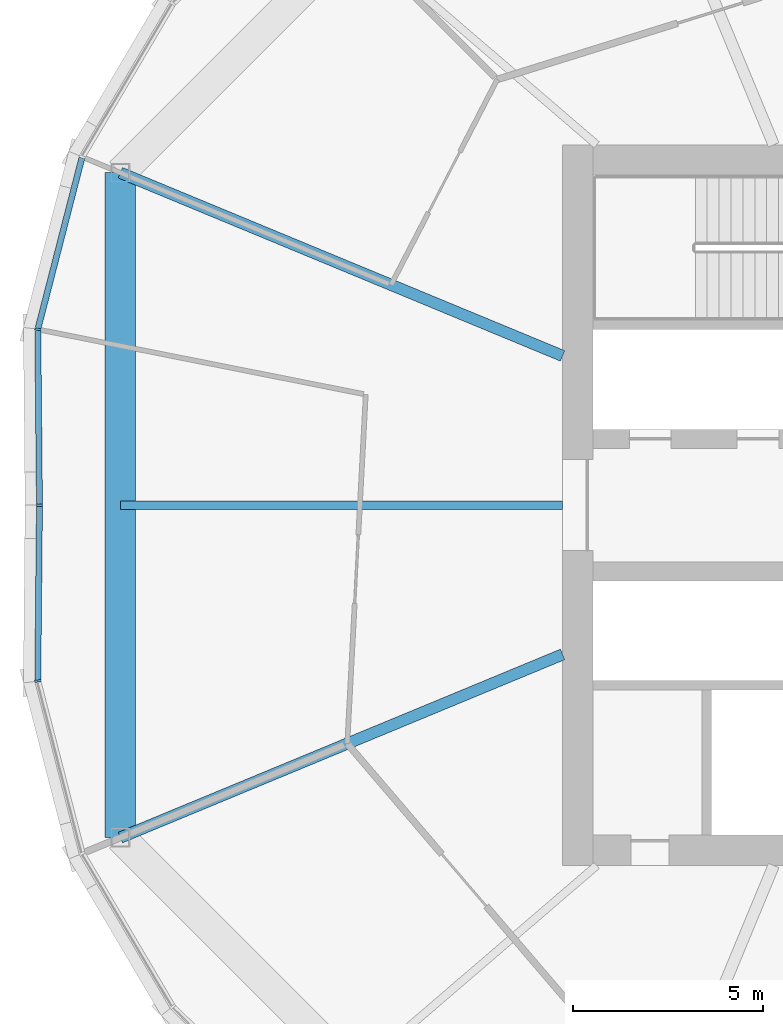
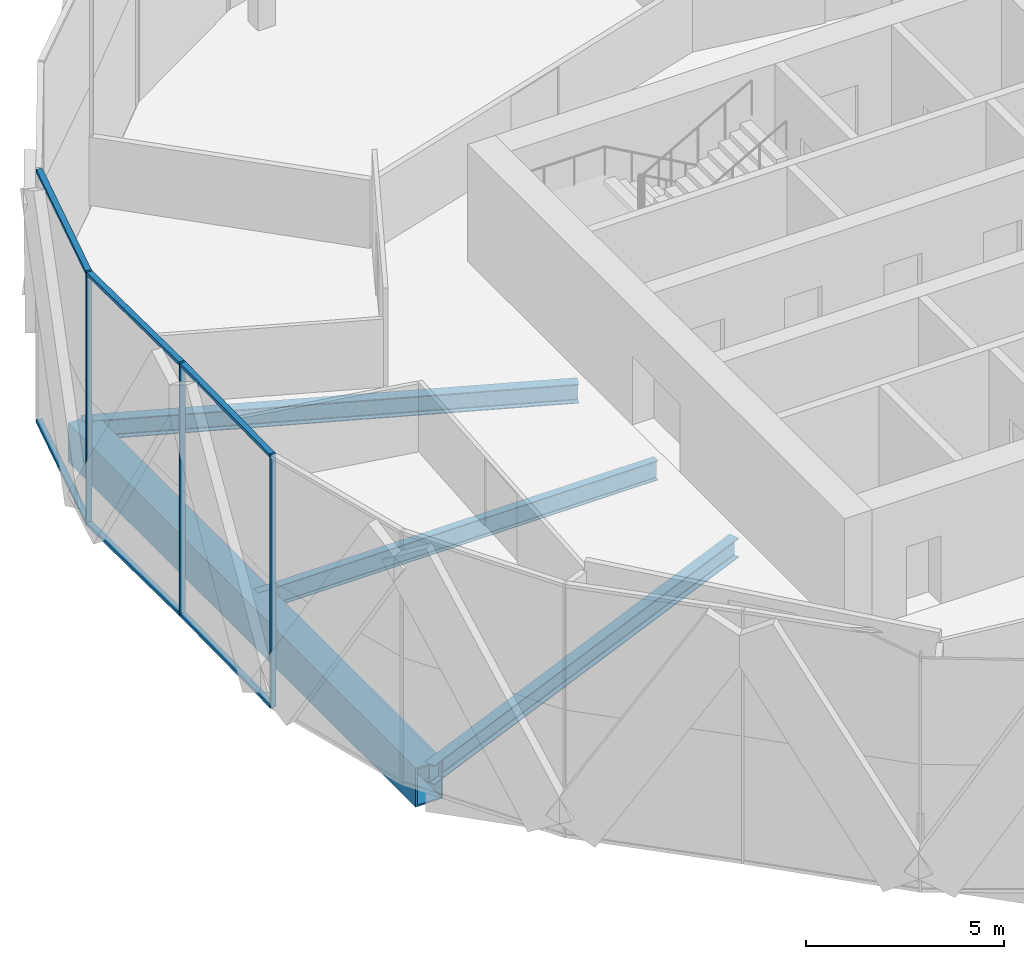
# One storey, part 5 of 31: 9 members, 4 beams, 2 elements without a shape of their own.
"""IFC4 building model written with IfcOpenShell, lengths in metres."""

from ifc_helpers import new_model, si_unit, direction, frame, origin, origin_2d, place, context, subcontext, project, spatial, rectangle, hollow_rectangle, i_section, extrude, material, material_profile, profile_set, type_object, element, aggregate, save


model = new_model("IFC4")

# Units and contexts
model_context = context("Model", 3, precision=1e-05, world=origin(), true_north=direction((0.0, 1.0)))
body_context = subcontext(model_context, "Body", "Model", "MODEL_VIEW")
ifc_project = project(units=[si_unit("LENGTHUNIT", "METRE"), si_unit("AREAUNIT", "SQUARE_METRE"), si_unit("VOLUMEUNIT", "CUBIC_METRE"), si_unit("PLANEANGLEUNIT", "RADIAN"), si_unit("MASSUNIT", "GRAM", prefix="KILO")], contexts=[model_context])

# Site, building, storey
site_placement = place(None, origin())
site = spatial("IfcSite", under=ifc_project, at=site_placement, CompositionType="ELEMENT")
building_placement = place(site_placement, origin())
building = spatial("IfcBuilding", under=site, at=building_placement, Name="Ogive Gate Towers", CompositionType="ELEMENT")
storey_placement = place(building_placement, frame((0.0, 0.0, 63.60009765625)))
storey = spatial("IfcBuildingStorey", under=building, at=storey_placement, Name="L14", CompositionType="ELEMENT", Elevation=63.60009765625)

# Beams
ifc_material_1 = material(Name="Steel SM460", Category="steel")
ifc_material_profile_1 = material_profile(ifc_material_1, hollow_rectangle(XDim=0.800048828125, YDim=1.199951171875, WallThickness=0.050048828125, at=origin_2d()), Name="BX 1200x800x50")
ifc_profile_set_1 = profile_set([ifc_material_profile_1], Name="Steel SM460")
beam_type_1 = type_object("IfcBeamType", Name="Edge girder BX 1200x800x50", PredefinedType="BEAM", material=ifc_profile_set_1)
beam_1_placement = place(storey_placement, frame((-57.15673828125, 8.763427734375, -0.900146484375), z_axis=(0.0, -1.0, 0.0), x_axis=(1.0, 0.0, 0.0)))
element("IfcBeam", 1, at=beam_1_placement, inside=storey, type_object=beam_type_1, Name="T1/L14/SBM024", PredefinedType="BEAM", context=body_context, shape_type="SweptSolid", body=[
    extrude(hollow_rectangle(XDim=0.800048828125, YDim=1.199951171875, WallThickness=0.050048828125, at=origin_2d()), origin(), (0.0, 0.0, 1.0), 17.52685546875),
])
ifc_material_2 = material(Name="Steel SM355", Category="steel")
ifc_material_profile_2 = material_profile(ifc_material_2, i_section(OverallWidth=0.300048828125, OverallDepth=0.590087890625, WebThickness=0.012939453125, FlangeThickness=0.02490234375, FilletRadius=0.027099609375, at=origin_2d()), Name="HE 600 A")
ifc_profile_set_2 = profile_set([ifc_material_profile_2], Name="Steel SM355")
beam_type_2 = type_object("IfcBeamType", Name="Radial floor beam HE 600 A", PredefinedType="BEAM", material=ifc_profile_set_2)
for number, where, z_axis, x_axis, name in (
    (2, (-45.5, -3.93505859375, -0.59521484375), (-0.923879811284, -0.382682759347, 0.0), (0.382682759347, -0.923879811284, 0.0), "T1/L14/SBM001"),
    (3, (-45.5, 3.93505859375, -0.59521484375), (-0.923879811284, 0.382682759347, 0.0), (-0.382682759347, -0.923879811284, 0.0), "T1/L14/SBM015"),
):
    element("IfcBeam", number, at=place(storey_placement, frame(where, z_axis=z_axis, x_axis=x_axis)), inside=storey, type_object=beam_type_2, Name=name, PredefinedType="BEAM", context=body_context, shape_type="SweptSolid", body=[
        extrude(i_section(OverallWidth=0.300048828125, OverallDepth=0.590087890625, WebThickness=0.012939453125, FlangeThickness=0.02490234375, FilletRadius=0.027099609375, at=origin_2d()), origin(), (0.0, 0.0, 1.0), 12.6171875),
    ])
ifc_material_profile_3 = material_profile(ifc_material_2, i_section(OverallWidth=0.219970703125, OverallDepth=0.60009765625, WebThickness=0.011962890625, FlangeThickness=0.01904296875, FilletRadius=0.02392578125, at=origin_2d()), Name="IPE 600")
ifc_profile_set_3 = profile_set([ifc_material_profile_3], Name="Steel SM355")
beam_type_3 = type_object("IfcBeamType", Name="Radial floor beam IPE 600", PredefinedType="BEAM", material=ifc_profile_set_3)
beam_2_placement = place(storey_placement, frame((-45.5, 0.0, -0.60009765625), z_axis=(-1.0, 0.0, 0.0), x_axis=(0.0, -1.0, 0.0)))
element("IfcBeam", 4, at=beam_2_placement, inside=storey, type_object=beam_type_3, Name="T1/L14/SBM016", PredefinedType="BEAM", context=body_context, shape_type="SweptSolid", body=[
    extrude(i_section(OverallWidth=0.219970703125, OverallDepth=0.60009765625, WebThickness=0.011962890625, FlangeThickness=0.01904296875, FilletRadius=0.02392578125, at=origin_2d()), origin(), (0.0, 0.0, 1.0), 11.65673828125),
])

# Curtain wall, members
ifc_material_3 = material(Name="Pale metal aluminium", Category="aluminium")
curtain_wall_type = type_object("IfcCurtainWallType", Name="Tower unitised wall, low zone", PredefinedType="NOTDEFINED", material=ifc_material_3)
curtain_wall_1_placement = place(storey_placement, origin())
curtain_wall_1 = element("IfcCurtainWall", 5, at=curtain_wall_1_placement, inside=storey, type_object=curtain_wall_type, Name="CW1 T1 ECW04", PredefinedType="NOTDEFINED")
ifc_material_profile_4 = material_profile(ifc_material_3, rectangle(XDim=0.159912109375, YDim=0.06005859375, at=origin_2d()), Name="60 x 160 aluminium box")
ifc_profile_set_4 = profile_set([ifc_material_profile_4], Name="Pale metal aluminium")
member_type_1 = type_object("IfcMemberType", Name="Tower unitised wall, low zone mullion 60 x 160", PredefinedType="MULLION", material=ifc_profile_set_4)
member_1_placement = place(storey_placement, frame((-59.334716796875, 4.635498046875, -0.300048828125), z_axis=(0.0, 0.0, 1.0), x_axis=(-0.992671119641, 0.120847210271, 0.0)))
member_1 = element("IfcMember", 6, at=member_1_placement, type_object=member_type_1, Name="CW1 mullion", PredefinedType="MULLION", context=body_context, shape_type="SweptSolid", body=[
    extrude(rectangle(XDim=0.159912109375, YDim=0.06005859375, at=origin_2d()), origin(), (0.0, 0.0, 1.0), 7.800048828125),
])
member_2_placement = place(storey_placement, frame((-59.2900390625, 0.000244140625, -0.300048828125), z_axis=(0.0, 0.0, 1.0), x_axis=(-0.999953926969, -0.009599163462, 0.0)))
member_2 = element("IfcMember", 7, at=member_2_placement, type_object=member_type_1, Name="CW1 mullion", PredefinedType="MULLION", context=body_context, shape_type="SweptSolid", body=[
    extrude(rectangle(XDim=0.159912109375, YDim=0.06005859375, at=origin_2d()), origin(), (0.0, 0.0, 1.0), 7.800048828125),
])

# Curtain wall, member
curtain_wall_2_placement = place(storey_placement, origin())
curtain_wall_2 = element("IfcCurtainWall", 8, at=curtain_wall_2_placement, inside=storey, type_object=curtain_wall_type, Name="CW1 T1 ECW05", PredefinedType="NOTDEFINED")
member_3_placement = place(storey_placement, frame((-59.334716796875, -4.635498046875, -0.300048828125), z_axis=(0.0, 0.0, 1.0), x_axis=(-0.992671119641, -0.120847210271, 0.0)))
member_3 = element("IfcMember", 9, at=member_3_placement, type_object=member_type_1, Name="CW1 mullion", PredefinedType="MULLION", context=body_context, shape_type="SweptSolid", body=[
    extrude(rectangle(XDim=0.159912109375, YDim=0.06005859375, at=origin_2d()), origin(), (0.0, 0.0, 1.0), 7.800048828125),
])

# Member
ifc_material_profile_5 = material_profile(ifc_material_3, rectangle(XDim=0.159912109375, YDim=0.10009765625, at=origin_2d()), Name="100 x 160 aluminium box")
ifc_profile_set_5 = profile_set([ifc_material_profile_5], Name="Pale metal aluminium")
member_type_2 = type_object("IfcMemberType", Name="Tower unitised wall, low zone transom 100 x 160", PredefinedType="USERDEFINED", material=ifc_profile_set_5)
member_4_placement = place(storey_placement, frame((-58.17138671875, 9.154541015625, 7.449951171875), z_axis=(-0.249241307087, -0.968441413221, 0.0), x_axis=(0.968441413221, -0.249241307087, 0.0)))
member_4 = element("IfcMember", 10, at=member_4_placement, type_object=member_type_2, Name="CW1 transom", ObjectType="TRANSOM", PredefinedType="USERDEFINED", context=body_context, shape_type="SweptSolid", body=[
    extrude(rectangle(XDim=0.159912109375, YDim=0.10009765625, at=origin_2d()), origin(), (0.0, 0.0, 1.0), 4.63916015625),
])

member_5_placement = place(storey_placement, frame((-58.17138671875, 9.154541015625, -0.25), z_axis=(-0.249241307087, -0.968441413221, 0.0), x_axis=(0.968441413221, -0.249241307087, 0.0)))
member_5 = element("IfcMember", 11, at=member_5_placement, type_object=member_type_2, Name="CW1 transom", ObjectType="TRANSOM", PredefinedType="USERDEFINED", context=body_context, shape_type="SweptSolid", body=[
    extrude(rectangle(XDim=0.159912109375, YDim=0.10009765625, at=origin_2d()), origin(), (0.0, 0.0, 1.0), 4.63916015625),
])

member_6_placement = place(storey_placement, frame((-59.334228515625, 4.60791015625, 7.449951171875), z_axis=(0.009599557663, -0.999953923185, 0.0), x_axis=(0.999953923185, 0.009599557663, 0.0)))
member_6 = element("IfcMember", 12, at=member_6_placement, type_object=member_type_2, Name="CW1 transom", ObjectType="TRANSOM", PredefinedType="USERDEFINED", context=body_context, shape_type="SweptSolid", body=[
    extrude(rectangle(XDim=0.159912109375, YDim=0.10009765625, at=origin_2d()), origin(), (0.0, 0.0, 1.0), 4.577880859375),
])

member_7_placement = place(storey_placement, frame((-59.334228515625, 4.60791015625, -0.25), z_axis=(0.009599557663, -0.999953923185, 0.0), x_axis=(0.999953923185, 0.009599557663, 0.0)))
member_7 = element("IfcMember", 13, at=member_7_placement, type_object=member_type_2, Name="CW1 transom", ObjectType="TRANSOM", PredefinedType="USERDEFINED", context=body_context, shape_type="SweptSolid", body=[
    extrude(rectangle(XDim=0.159912109375, YDim=0.10009765625, at=origin_2d()), origin(), (0.0, 0.0, 1.0), 4.577880859375),
])

aggregate(curtain_wall_1, [member_1, member_4, member_5, member_2, member_6, member_7])

member_8_placement = place(storey_placement, frame((-59.290283203125, -0.0302734375, 7.449951171875), z_axis=(-0.009599557663, -0.999953923185, 0.0), x_axis=(0.999953923185, -0.009599557663, 0.0)))
member_8 = element("IfcMember", 14, at=member_8_placement, type_object=member_type_2, Name="CW1 transom", ObjectType="TRANSOM", PredefinedType="USERDEFINED", context=body_context, shape_type="SweptSolid", body=[
    extrude(rectangle(XDim=0.159912109375, YDim=0.10009765625, at=origin_2d()), origin(), (0.0, 0.0, 1.0), 4.577880859375),
])

member_9_placement = place(storey_placement, frame((-59.290283203125, -0.0302734375, -0.25), z_axis=(-0.009599557663, -0.999953923185, 0.0), x_axis=(0.999953923185, -0.009599557663, 0.0)))
member_9 = element("IfcMember", 15, at=member_9_placement, type_object=member_type_2, Name="CW1 transom", ObjectType="TRANSOM", PredefinedType="USERDEFINED", context=body_context, shape_type="SweptSolid", body=[
    extrude(rectangle(XDim=0.159912109375, YDim=0.10009765625, at=origin_2d()), origin(), (0.0, 0.0, 1.0), 4.577880859375),
])

aggregate(curtain_wall_2, [member_3, member_8, member_9])

save(model, "model.ifc")
